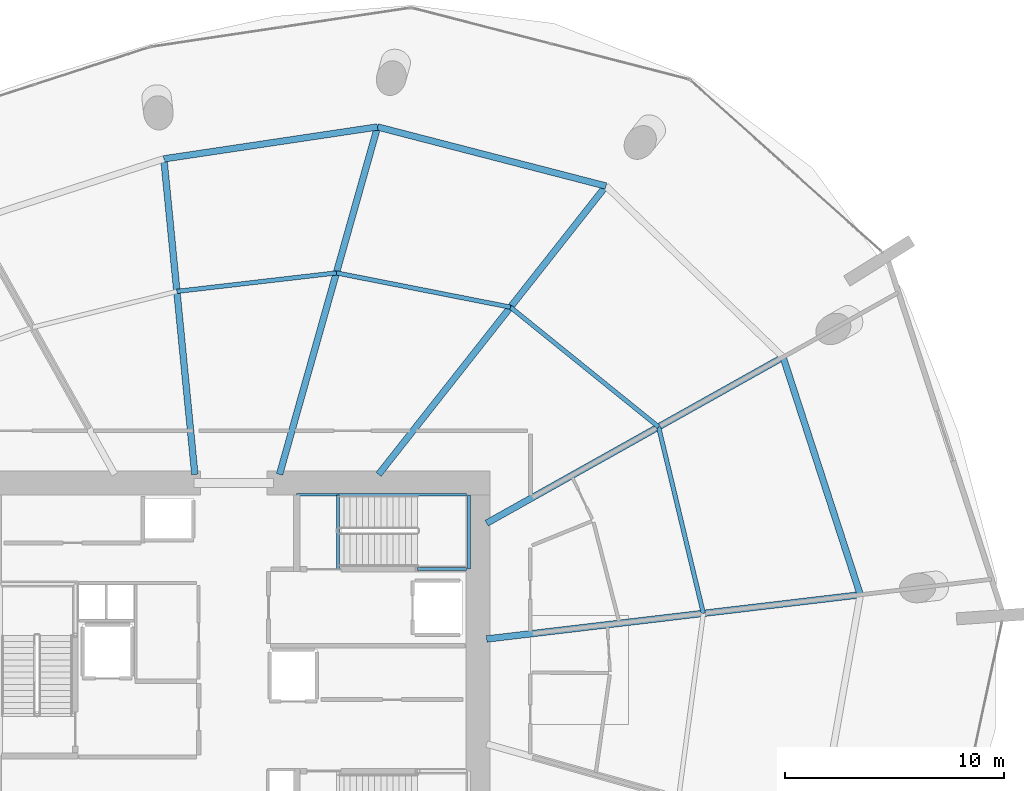
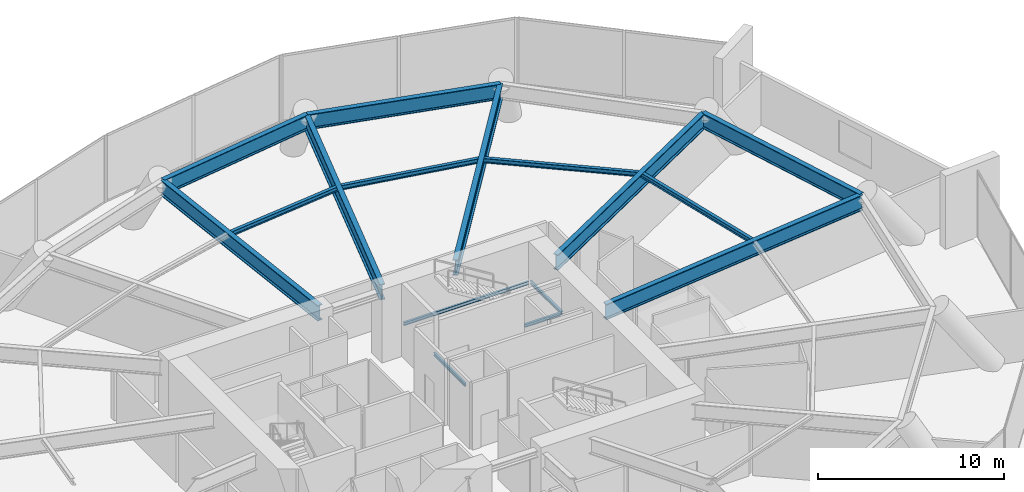
# One storey, part 13 of 21: 16 beams.
"""IFC4 building model written with IfcOpenShell, lengths in metres."""

from ifc_helpers import new_model, si_unit, direction, frame, origin, origin_2d, place, context, subcontext, project, spatial, i_section, extrude, material, material_profile, profile_set, type_object, element, save


model = new_model("IFC4")

# Units and contexts
model_context = context("Model", 3, precision=1e-05, world=origin(), true_north=direction((0.0, 1.0)))
body_context = subcontext(model_context, "Body", "Model", "MODEL_VIEW")
ifc_project = project(units=[si_unit("LENGTHUNIT", "METRE"), si_unit("AREAUNIT", "SQUARE_METRE"), si_unit("VOLUMEUNIT", "CUBIC_METRE"), si_unit("PLANEANGLEUNIT", "RADIAN"), si_unit("MASSUNIT", "GRAM", prefix="KILO")], contexts=[model_context])

# Site, building, storey
site_placement = place(None, origin())
site = spatial("IfcSite", under=ifc_project, at=site_placement, CompositionType="ELEMENT")
building_placement = place(site_placement, origin())
building = spatial("IfcBuilding", under=site, at=building_placement, Name="Kazma Halo Residences", CompositionType="ELEMENT")
storey_placement = place(building_placement, frame((0.0, 0.0, 21.60009765625)))
storey = spatial("IfcBuildingStorey", under=building, at=storey_placement, Name="L04", CompositionType="ELEMENT", Elevation=21.60009765625)

# Beams
ifc_material = material(Name="Steel S355", Category="steel")
ifc_material_profile_1 = material_profile(ifc_material, i_section(OverallWidth=0.202880859375, OverallDepth=0.302978515625, WebThickness=0.007568359375, FlangeThickness=0.01318359375, FilletRadius=0.013916015625, at=origin_2d()), Name="W310x60")
ifc_profile_set_1 = profile_set([ifc_material_profile_1], Name="Steel S355")
beam_type_1 = type_object("IfcBeamType", Name="BM-SEC-W310A", PredefinedType="JOIST", material=ifc_profile_set_1)
beam_1_placement = place(storey_placement, frame((67.86767578125, 53.12646484375, 4.248291015625), z_axis=(-0.777825823121, 0.628479903328, 0.0), x_axis=(-0.628479903328, -0.777825823121, 0.0)))
element("IfcBeam", 1, at=beam_1_placement, inside=storey, type_object=beam_type_1, Name="L04 circumferential floor joist 01", PredefinedType="JOIST", context=body_context, shape_type="SweptSolid", body=[
    extrude(i_section(OverallWidth=0.202880859375, OverallDepth=0.302978515625, WebThickness=0.007568359375, FlangeThickness=0.01318359375, FilletRadius=0.013916015625, at=origin_2d()), origin(), (0.0, 0.0, 1.0), 8.71484375),
])
beam_2_placement = place(storey_placement, frame((61.089111328125, 58.603515625, 4.248291015625), z_axis=(-0.981161664365, 0.193188478901, 0.0), x_axis=(-0.193188478901, -0.981161664365, 0.0)))
element("IfcBeam", 2, at=beam_2_placement, inside=storey, type_object=beam_type_1, Name="L04 circumferential floor joist 02", PredefinedType="JOIST", context=body_context, shape_type="SweptSolid", body=[
    extrude(i_section(OverallWidth=0.202880859375, OverallDepth=0.302978515625, WebThickness=0.007568359375, FlangeThickness=0.01318359375, FilletRadius=0.013916015625, at=origin_2d()), origin(), (0.0, 0.0, 1.0), 8.116943359375),
])
beam_3_placement = place(storey_placement, frame((53.125, 60.171630859375, 4.248291015625), z_axis=(-0.993336696636, -0.115248458196, 0.0), x_axis=(0.115248458196, -0.993336696636, 0.0)))
element("IfcBeam", 3, at=beam_3_placement, inside=storey, type_object=beam_type_1, Name="L04 circumferential floor joist 03", PredefinedType="JOIST", context=body_context, shape_type="SweptSolid", body=[
    extrude(i_section(OverallWidth=0.202880859375, OverallDepth=0.302978515625, WebThickness=0.007568359375, FlangeThickness=0.01318359375, FilletRadius=0.013916015625, at=origin_2d()), origin(), (0.0, 0.0, 1.0), 7.3466796875),
])
beam_4_placement = place(storey_placement, frame((69.916748046875, 44.593994140625, 4.248291015625), z_axis=(-0.233510797851, 0.972354208757, 0.0), x_axis=(-0.972354208757, -0.233510797851, 0.0)))
element("IfcBeam", 4, at=beam_4_placement, inside=storey, type_object=beam_type_1, Name="L04 circumferential floor joist 16", PredefinedType="JOIST", context=body_context, shape_type="SweptSolid", body=[
    extrude(i_section(OverallWidth=0.202880859375, OverallDepth=0.302978515625, WebThickness=0.007568359375, FlangeThickness=0.01318359375, FilletRadius=0.013916015625, at=origin_2d()), origin(), (0.0, 0.0, 1.0), 8.775146484375),
])
ifc_material_profile_2 = material_profile(ifc_material, i_section(OverallWidth=0.302001953125, OverallDepth=1.01806640625, WebThickness=0.021484375, FlangeThickness=0.049072265625, FilletRadius=0.028076171875, at=origin_2d()), Name="W1000x443")
ifc_profile_set_2 = profile_set([ifc_material_profile_2], Name="Steel S355")
beam_type_2 = type_object("IfcBeamType", Name="BM-TRANS-W1000A", PredefinedType="BEAM", material=ifc_profile_set_2)
beam_5_placement = place(storey_placement, frame((60.0, 48.72021484375, 3.890869140625), z_axis=(0.872490752426, 0.488630624226, 0.0), x_axis=(-0.488630624226, 0.872490752426, 0.0)))
element("IfcBeam", 5, at=beam_5_placement, inside=storey, type_object=beam_type_2, Name="L04 podium radial transfer girder 01", PredefinedType="BEAM", context=body_context, shape_type="SweptSolid", body=[
    extrude(i_section(OverallWidth=0.302001953125, OverallDepth=1.01806640625, WebThickness=0.021484375, FlangeThickness=0.049072265625, FilletRadius=0.028076171875, at=origin_2d()), origin(), (0.0, 0.0, 1.0), 15.54736328125),
])
beam_6_placement = place(storey_placement, frame((55.0556640625, 50.949951171875, 3.890869140625), z_axis=(0.61908871366, 0.785321058306, 0.0), x_axis=(-0.785321058306, 0.61908871366, 0.0)))
element("IfcBeam", 6, at=beam_6_placement, inside=storey, type_object=beam_type_2, Name="L04 podium radial transfer girder 02", PredefinedType="BEAM", context=body_context, shape_type="SweptSolid", body=[
    extrude(i_section(OverallWidth=0.302001953125, OverallDepth=1.01806640625, WebThickness=0.021484375, FlangeThickness=0.049072265625, FilletRadius=0.028076171875, at=origin_2d()), origin(), (0.0, 0.0, 1.0), 16.802978515625),
])
beam_7_placement = place(storey_placement, frame((50.524169921875, 50.949951171875, 3.890869140625), z_axis=(0.271442263003, 0.962454725094, 0.0), x_axis=(-0.962454725094, 0.271442263003, 0.0)))
element("IfcBeam", 7, at=beam_7_placement, inside=storey, type_object=beam_type_2, Name="L04 podium radial transfer girder 03", PredefinedType="BEAM", context=body_context, shape_type="SweptSolid", body=[
    extrude(i_section(OverallWidth=0.302001953125, OverallDepth=1.01806640625, WebThickness=0.021484375, FlangeThickness=0.049072265625, FilletRadius=0.028076171875, at=origin_2d()), origin(), (0.0, 0.0, 1.0), 16.51953125),
])
beam_8_placement = place(storey_placement, frame((46.64990234375, 50.949951171875, 3.890869140625), z_axis=(-0.097747566886, 0.995211240475, 0.0), x_axis=(-0.995211240475, -0.097747566886, 0.0)))
element("IfcBeam", 8, at=beam_8_placement, inside=storey, type_object=beam_type_2, Name="L04 podium radial transfer girder 04", PredefinedType="BEAM", context=body_context, shape_type="SweptSolid", body=[
    extrude(i_section(OverallWidth=0.302001953125, OverallDepth=1.01806640625, WebThickness=0.021484375, FlangeThickness=0.049072265625, FilletRadius=0.028076171875, at=origin_2d()), origin(), (0.0, 0.0, 1.0), 14.509033203125),
])
beam_9_placement = place(storey_placement, frame((60.0, 43.42041015625, 3.890869140625), z_axis=(0.993068377148, 0.11753807174, 0.0), x_axis=(-0.11753807174, 0.993068377148, 0.0)))
element("IfcBeam", 9, at=beam_9_placement, inside=storey, type_object=beam_type_2, Name="L04 podium radial transfer girder 16", PredefinedType="BEAM", context=body_context, shape_type="SweptSolid", body=[
    extrude(i_section(OverallWidth=0.302001953125, OverallDepth=1.01806640625, WebThickness=0.021484375, FlangeThickness=0.049072265625, FilletRadius=0.028076171875, at=origin_2d()), origin(), (0.0, 0.0, 1.0), 17.21728515625),
])
ifc_material_profile_3 = material_profile(ifc_material, i_section(OverallWidth=0.300048828125, OverallDepth=1.0, WebThickness=0.01904296875, FlangeThickness=0.0400390625, FilletRadius=0.02587890625, at=origin_2d()), Name="W1000x371")
ifc_profile_set_3 = profile_set([ifc_material_profile_3], Name="Steel S355")
beam_type_3 = type_object("IfcBeamType", Name="BM-TRANS-W1000B", PredefinedType="BEAM", material=ifc_profile_set_3)
beam_10_placement = place(storey_placement, frame((65.458251953125, 64.145751953125, 3.89990234375), z_axis=(-0.968123558238, 0.250473104313, 0.0), x_axis=(-0.250473104313, -0.968123558238, 0.0)))
element("IfcBeam", 10, at=beam_10_placement, inside=storey, type_object=beam_type_3, Name="L04 perimeter ring beam 02", PredefinedType="BEAM", context=body_context, shape_type="SweptSolid", body=[
    extrude(i_section(OverallWidth=0.300048828125, OverallDepth=1.0, WebThickness=0.01904296875, FlangeThickness=0.0400390625, FilletRadius=0.02587890625, at=origin_2d()), origin(), (0.0, 0.0, 1.0), 10.7939453125),
])
beam_11_placement = place(storey_placement, frame((55.00830078125, 66.849365234375, 3.89990234375), z_axis=(-0.989033061974, -0.147694286693, 0.0), x_axis=(0.147694286693, -0.989033061974, 0.0)))
element("IfcBeam", 11, at=beam_11_placement, inside=storey, type_object=beam_type_3, Name="L04 perimeter ring beam 03", PredefinedType="BEAM", context=body_context, shape_type="SweptSolid", body=[
    extrude(i_section(OverallWidth=0.300048828125, OverallDepth=1.0, WebThickness=0.01904296875, FlangeThickness=0.0400390625, FilletRadius=0.02587890625, at=origin_2d()), origin(), (0.0, 0.0, 1.0), 9.885009765625),
])
beam_12_placement = place(storey_placement, frame((77.097900390625, 45.444091796875, 3.89990234375), z_axis=(-0.309024264898, 0.951054153928, 0.0), x_axis=(-0.951054153928, -0.309024264898, 0.0)))
element("IfcBeam", 12, at=beam_12_placement, inside=storey, type_object=beam_type_3, Name="L04 perimeter ring beam 16", PredefinedType="BEAM", context=body_context, shape_type="SweptSolid", body=[
    extrude(i_section(OverallWidth=0.300048828125, OverallDepth=1.0, WebThickness=0.01904296875, FlangeThickness=0.0400390625, FilletRadius=0.02587890625, at=origin_2d()), origin(), (0.0, 0.0, 1.0), 11.4326171875),
])
ifc_material_profile_4 = material_profile(ifc_material, i_section(OverallWidth=0.133056640625, OverallDepth=0.20703125, WebThickness=0.005859375, FlangeThickness=0.00830078125, FilletRadius=0.010009765625, at=origin_2d()), Name="W200x26.6")
ifc_profile_set_4 = profile_set([ifc_material_profile_4], Name="Steel S355")
beam_type_4 = type_object("IfcBeamType", Name="BM-TRIM-W200", PredefinedType="BEAM", material=ifc_profile_set_4)
beam_13_placement = place(storey_placement, frame((53.199951171875, 46.6201171875, -0.510009765625), z_axis=(0.0, 1.0, 0.0), x_axis=(-1.0, 0.0, 0.0)))
element("IfcBeam", 13, at=beam_13_placement, inside=storey, type_object=beam_type_4, Name="L04 ST-02 floor landing support beam", PredefinedType="BEAM", context=body_context, shape_type="SweptSolid", body=[
    extrude(i_section(OverallWidth=0.133056640625, OverallDepth=0.20703125, WebThickness=0.005859375, FlangeThickness=0.00830078125, FilletRadius=0.010009765625, at=origin_2d()), origin(), (0.0, 0.0, 1.0), 3.3798828125),
])
beam_14_placement = place(storey_placement, frame((51.31005859375, 50.02001953125, 2.094970703125), z_axis=(1.0, 0.0, 0.0), x_axis=(0.0, 1.0, 0.0)))
element("IfcBeam", 14, at=beam_14_placement, inside=storey, type_object=beam_type_4, Name="L04 ST-02 landing north wall ledger", PredefinedType="BEAM", context=body_context, shape_type="SweptSolid", body=[
    extrude(i_section(OverallWidth=0.133056640625, OverallDepth=0.20703125, WebThickness=0.005859375, FlangeThickness=0.00830078125, FilletRadius=0.010009765625, at=origin_2d()), origin(), (0.0, 0.0, 1.0), 7.760009765625),
])
beam_15_placement = place(storey_placement, frame((56.840087890625, 46.6201171875, 2.094970703125), z_axis=(1.0, 0.0, 0.0), x_axis=(0.0, 1.0, 0.0)))
element("IfcBeam", 15, at=beam_15_placement, inside=storey, type_object=beam_type_4, Name="L04 ST-02 landing south wall ledger", PredefinedType="BEAM", context=body_context, shape_type="SweptSolid", body=[
    extrude(i_section(OverallWidth=0.133056640625, OverallDepth=0.20703125, WebThickness=0.005859375, FlangeThickness=0.00830078125, FilletRadius=0.010009765625, at=origin_2d()), origin(), (0.0, 0.0, 1.0), 2.22998046875),
])
beam_16_placement = place(storey_placement, frame((59.18994140625, 46.6201171875, 2.094970703125), z_axis=(0.0, 1.0, 0.0), x_axis=(-1.0, 0.0, 0.0)))
element("IfcBeam", 16, at=beam_16_placement, inside=storey, type_object=beam_type_4, Name="L04 ST-02 landing end wall ledger", PredefinedType="BEAM", context=body_context, shape_type="SweptSolid", body=[
    extrude(i_section(OverallWidth=0.133056640625, OverallDepth=0.20703125, WebThickness=0.005859375, FlangeThickness=0.00830078125, FilletRadius=0.010009765625, at=origin_2d()), origin(), (0.0, 0.0, 1.0), 3.39990234375),
])

save(model, "model.ifc")
